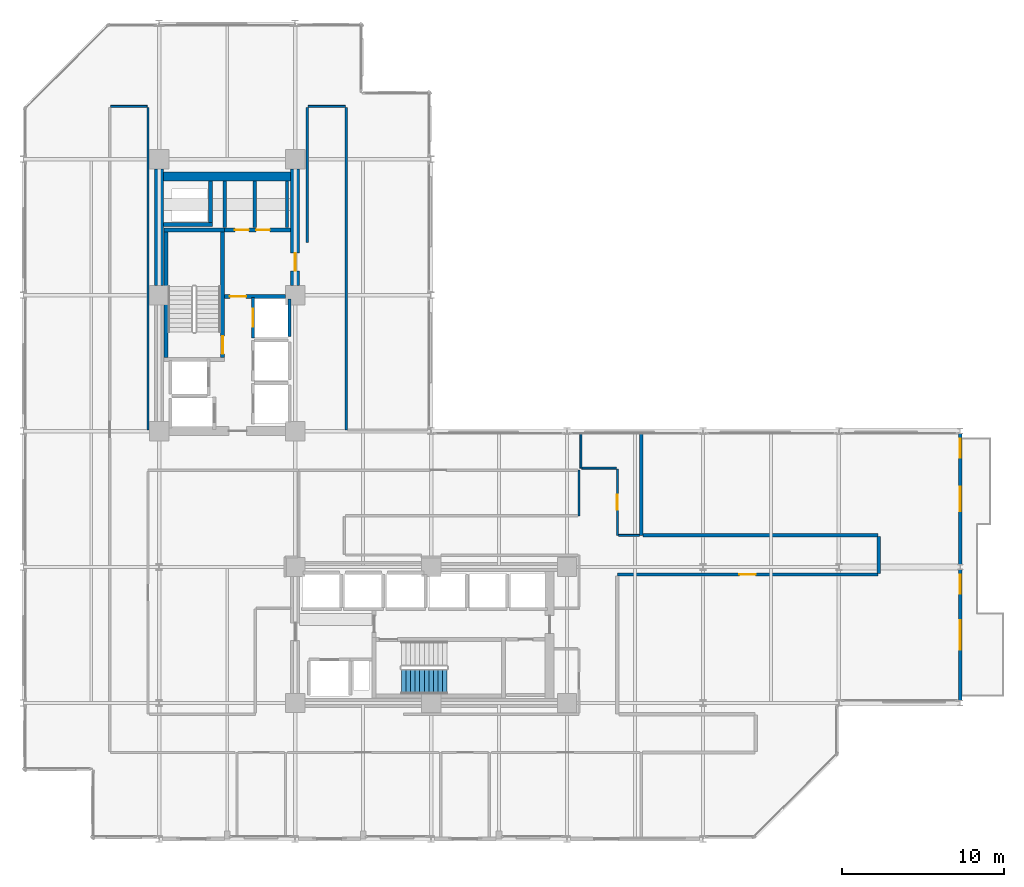
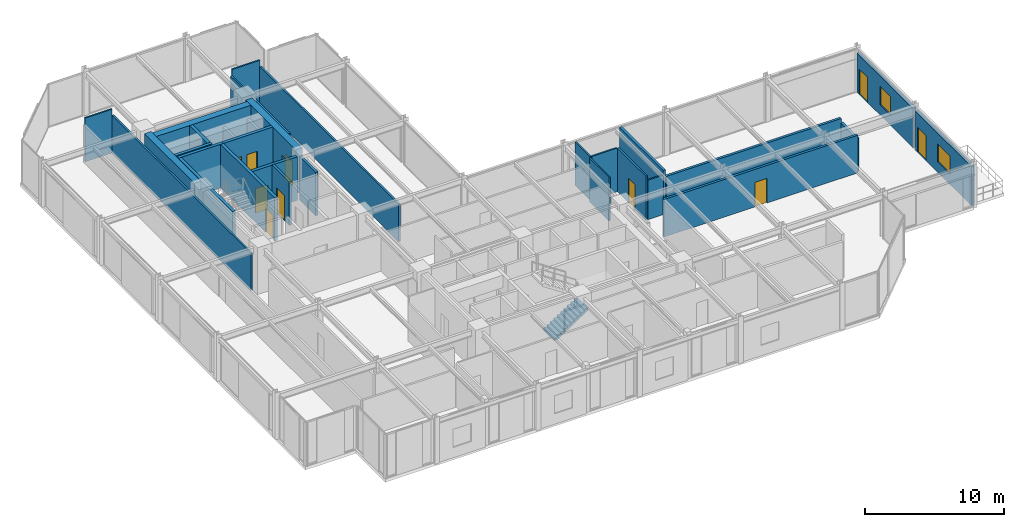
# One storey, part 34 of 38: 31 walls, 10 doors, 2 windows, 1 stair flight, 12 openings, 1 element without a shape of its own.
"""IFC4 building model written with IfcOpenShell, lengths in metres."""

from ifc_helpers import new_model, si_unit, direction, frame, frame_2d, origin, place, context, subcontext, project, spatial, polyline, rectangle, outline, extrude, material, layer, layer_set, type_object, element, fill, aggregate, save


model = new_model("IFC4")

# Units and contexts
model_context = context("Model", 3, precision=1e-05, world=origin(), true_north=direction((0.0, 1.0)))
body_context = subcontext(model_context, "Body", "Model", "MODEL_VIEW")
ifc_project = project(units=[si_unit("LENGTHUNIT", "METRE"), si_unit("AREAUNIT", "SQUARE_METRE"), si_unit("VOLUMEUNIT", "CUBIC_METRE"), si_unit("PLANEANGLEUNIT", "RADIAN"), si_unit("MASSUNIT", "GRAM", prefix="KILO")], contexts=[model_context])

# Site, building, storey
site_placement = place(None, origin())
site = spatial("IfcSite", under=ifc_project, at=site_placement, CompositionType="ELEMENT")
building_placement = place(site_placement, origin())
building = spatial("IfcBuilding", under=site, at=building_placement, Name="Nerrivon Quay Data Exchange", CompositionType="ELEMENT")
storey_placement = place(building_placement, frame((0.0, 0.0, 88.5)))
storey = spatial("IfcBuildingStorey", under=building, at=storey_placement, Name="L20", CompositionType="ELEMENT", Elevation=88.5)

# Wall, openings, door, window
ifc_material_1 = material(Name="Architectural terracotta precast concrete N50 (50 MPa)", Category="masonry")
ifc_layer_1 = layer(ifc_material_1, 0.239990234375)
ifc_layer_set_1 = layer_set([ifc_layer_1], Name="Architectural terracotta precast concrete N50 (50 MPa)")
wall_type_1 = type_object("IfcWallType", Name="EW-PREC-240", PredefinedType="STANDARD", material=ifc_layer_set_1)
wall_1_placement = place(storey_placement, frame((57.89990234375, 25.03662109375, 0.0), z_axis=(0.0, 0.0, 1.0), x_axis=(0.0, -1.0, 0.0)))
wall_1 = element("IfcWall", 1, at=wall_1_placement, inside=storey, type_object=wall_type_1, Name="L20 Terrace Host Wall 1", PredefinedType="STANDARD", context=body_context, shape_type="SweptSolid", body=[
    extrude(rectangle(XDim=8.0732421875, YDim=0.239990234375, at=frame_2d((4.03662109375, 0.0))), origin(), (0.0, 0.0, 1.0), 3.422119140625),
])
opening_1_placement = place(wall_1_placement, frame((0.300048828125, 0.0, 0.0)))
opening_1 = element("IfcOpeningElement", 2, at=opening_1_placement, cuts=wall_1, Name="Opening TD1", PredefinedType="OPENING", context=body_context, shape_type="SweptSolid", body=[
    extrude(rectangle(XDim=1.199951171875, YDim=2.199951171875, at=frame_2d((0.60009765625, 1.10009765625))), frame((0.0, 0.1298828125, 0.0), z_axis=(0.0, -1.0, 0.0), x_axis=(1.0, 0.0, 0.0)), (0.0, 0.0, 1.0), 0.260009765625),
])
opening_2_placement = place(wall_1_placement, frame((3.28662109375, 0.0, 0.89990234375)))
opening_2 = element("IfcOpeningElement", 3, at=opening_2_placement, cuts=wall_1, Name="Opening WN4", PredefinedType="OPENING", context=body_context, shape_type="SweptSolid", body=[
    extrude(rectangle(XDim=1.5, YDim=1.60009765625, at=frame_2d((0.75, 0.800048828125))), frame((0.0, 0.1298828125, 0.0), z_axis=(0.0, -1.0, 0.0), x_axis=(1.0, 0.0, 0.0)), (0.0, 0.0, 1.0), 0.260009765625),
])
ifc_material_2 = material(Name="Double-glazed low-E solar control glass", Category="glass")
door_type_1 = type_object("IfcDoorType", Name="DR-TERR-1200x2200", OperationType="NOTDEFINED", PredefinedType="DOOR", material=ifc_material_2)
door_1_placement = place(opening_1_placement, origin())
door_1 = element("IfcDoor", 4, at=door_1_placement, inside=storey, type_object=door_type_1, Name="L20 Outdoor Terrace Access Door 1", OperationType="SINGLE_SWING_RIGHT", OverallHeight=2.199951171875, OverallWidth=1.199951171875, PredefinedType="DOOR", context=body_context, shape_type="SweptSolid", body=[
    extrude(rectangle(XDim=1.199951171875, YDim=2.199951171875, at=frame_2d((0.60009765625, 1.10009765625))), frame((0.0, 0.02490234375, 0.0), z_axis=(0.0, -1.0, 0.0), x_axis=(1.0, 0.0, 0.0)), (0.0, 0.0, 1.0), 0.050048828125),
])
fill(opening_1, door_1)
window_type_1 = type_object("IfcWindowType", Name="WIN-W4-1500x1600", PartitioningType="SINGLE_PANEL", PredefinedType="WINDOW", material=ifc_material_2)
window_1_placement = place(opening_2_placement, origin())
window_1 = element("IfcWindow", 5, at=window_1_placement, inside=storey, type_object=window_type_1, Name="L20 Terrace Side Window 1", OverallHeight=1.60009765625, OverallWidth=1.5, PartitioningType="SINGLE_PANEL", PredefinedType="WINDOW", context=body_context, shape_type="SweptSolid", body=[
    extrude(rectangle(XDim=1.5, YDim=1.60009765625, at=frame_2d((0.75, 0.800048828125))), frame((0.0, 0.030029296875, 0.0), z_axis=(0.0, -1.0, 0.0), x_axis=(1.0, 0.0, 0.0)), (0.0, 0.0, 1.0), 0.06005859375),
])
fill(opening_2, window_1)

wall_2_placement = place(storey_placement, frame((57.89990234375, 16.636474609375, 0.0), z_axis=(0.0, 0.0, 1.0), x_axis=(0.0, -1.0, 0.0)))
wall_2 = element("IfcWall", 6, at=wall_2_placement, inside=storey, type_object=wall_type_1, Name="L20 Terrace Host Wall 2", PredefinedType="STANDARD", context=body_context, shape_type="SweptSolid", body=[
    extrude(rectangle(XDim=8.072998046875, YDim=0.239990234375, at=frame_2d((4.03662109375, 0.0))), origin(), (0.0, 0.0, 1.0), 3.422119140625),
])
opening_3_placement = place(wall_2_placement, frame((0.300048828125, 0.0, 0.0)))
opening_3 = element("IfcOpeningElement", 7, at=opening_3_placement, cuts=wall_2, Name="Opening TD1", PredefinedType="OPENING", context=body_context, shape_type="SweptSolid", body=[
    extrude(rectangle(XDim=1.199951171875, YDim=2.199951171875, at=frame_2d((0.60009765625, 1.10009765625))), frame((0.0, 0.1298828125, 0.0), z_axis=(0.0, -1.0, 0.0), x_axis=(1.0, 0.0, 0.0)), (0.0, 0.0, 1.0), 0.260009765625),
])
opening_4_placement = place(wall_2_placement, frame((3.136474609375, 0.0, 0.89990234375)))
opening_4 = element("IfcOpeningElement", 8, at=opening_4_placement, cuts=wall_2, Name="Opening WN2", PredefinedType="OPENING", context=body_context, shape_type="SweptSolid", body=[
    extrude(rectangle(XDim=1.800048828125, YDim=1.60009765625, at=frame_2d((0.89990234375, 0.800048828125))), frame((0.0, 0.1298828125, 0.0), z_axis=(0.0, -1.0, 0.0), x_axis=(1.0, 0.0, 0.0)), (0.0, 0.0, 1.0), 0.260009765625),
])
door_2_placement = place(opening_3_placement, origin())
door_2 = element("IfcDoor", 9, at=door_2_placement, inside=storey, type_object=door_type_1, Name="L20 Outdoor Terrace Access Door 2", OperationType="SINGLE_SWING_LEFT", OverallHeight=2.199951171875, OverallWidth=1.199951171875, PredefinedType="DOOR", context=body_context, shape_type="SweptSolid", body=[
    extrude(rectangle(XDim=1.199951171875, YDim=2.199951171875, at=frame_2d((0.60009765625, 1.10009765625))), frame((0.0, 0.02490234375, 0.0), z_axis=(0.0, -1.0, 0.0), x_axis=(1.0, 0.0, 0.0)), (0.0, 0.0, 1.0), 0.050048828125),
])
fill(opening_3, door_2)
window_type_2 = type_object("IfcWindowType", Name="WIN-W2-1800x1600", PartitioningType="SINGLE_PANEL", PredefinedType="WINDOW", material=ifc_material_2)
window_2_placement = place(opening_4_placement, origin())
window_2 = element("IfcWindow", 10, at=window_2_placement, inside=storey, type_object=window_type_2, Name="L20 Terrace Side Window 2", OverallHeight=1.60009765625, OverallWidth=1.800048828125, PartitioningType="SINGLE_PANEL", PredefinedType="WINDOW", context=body_context, shape_type="SweptSolid", body=[
    extrude(rectangle(XDim=1.800048828125, YDim=1.60009765625, at=frame_2d((0.89990234375, 0.800048828125))), frame((0.0, 0.030029296875, 0.0), z_axis=(0.0, -1.0, 0.0), x_axis=(1.0, 0.0, 0.0)), (0.0, 0.0, 1.0), 0.06005859375),
])
fill(opening_4, window_2)

# Walls
ifc_material_3 = material(Name="Concrete S65 (65 MPa)", Category="concrete")
ifc_layer_2 = layer(ifc_material_3, 0.550048828125)
ifc_layer_set_2 = layer_set([ifc_layer_2], Name="Concrete S65 (65 MPa)")
wall_type_2 = type_object("IfcWallType", Name="WALL-CW-700", PredefinedType="SHEAR", material=ifc_layer_set_2)
wall_3_placement = place(storey_placement, frame((8.39990234375, 34.199951171875, 0.0), z_axis=(0.0, 0.0, 1.0), x_axis=(0.0, 1.0, 0.0)))
element("IfcWall", 11, at=wall_3_placement, inside=storey, type_object=wall_type_2, Name="L20 West Split-Core Shear Wall WCW-W2", PredefinedType="SHEAR", context=body_context, shape_type="SweptSolid", body=[
    extrude(rectangle(XDim=7.199951171875, YDim=0.550048828125, at=frame_2d((3.60009765625, 0.0))), origin(), (0.0, 0.0, 1.0), 3.824951171875),
])
wall_4_placement = place(storey_placement, frame((8.675048828125, 40.925048828125, 0.0), z_axis=(0.0, 0.0, 1.0), x_axis=(1.0, 0.0, 0.0)))
element("IfcWall", 12, at=wall_4_placement, inside=storey, type_object=wall_type_2, Name="L20 West Split-Core Shear Wall WCW-N1", PredefinedType="SHEAR", context=body_context, shape_type="SweptSolid", body=[
    extrude(rectangle(XDim=7.849853515625, YDim=0.550048828125, at=frame_2d((3.9248046875, 0.0))), origin(), (0.0, 0.0, 1.0), 3.824951171875),
])

# Wall, opening, door
wall_5_placement = place(storey_placement, frame((16.800048828125, 34.199951171875, 0.0), z_axis=(0.0, 0.0, 1.0), x_axis=(0.0, 1.0, 0.0)))
wall_5 = element("IfcWall", 13, at=wall_5_placement, inside=storey, type_object=wall_type_2, Name="L20 West Split-Core Shear Wall WCW-E1", PredefinedType="SHEAR", context=body_context, shape_type="SweptSolid", body=[
    extrude(rectangle(XDim=7.199951171875, YDim=0.550048828125, at=frame_2d((3.60009765625, 0.0))), origin(), (0.0, 0.0, 1.0), 3.824951171875),
])
opening_5_placement = place(wall_5_placement, frame((0.89990234375, 0.0, 0.0)))
opening_5 = element("IfcOpeningElement", 14, at=opening_5_placement, cuts=wall_5, Name="Opening FD-120", PredefinedType="OPENING", context=body_context, shape_type="SweptSolid", body=[
    extrude(rectangle(XDim=1.10009765625, YDim=2.14990234375, at=frame_2d((0.550048828125, 1.074951171875))), frame((0.0, 0.284912109375, 0.0), z_axis=(0.0, -1.0, 0.0), x_axis=(1.0, 0.0, 0.0)), (0.0, 0.0, 1.0), 0.570068359375),
])
ifc_material_4 = material(Name="Powder-coated galvanized steel sheet", Category="steel")
door_type_2 = type_object("IfcDoorType", Name="DR-FD120-1100", OperationType="NOTDEFINED", PredefinedType="DOOR", material=ifc_material_4)
door_3_placement = place(opening_5_placement, origin())
door_3 = element("IfcDoor", 15, at=door_3_placement, inside=storey, type_object=door_type_2, Name="L20 West Core Lobby Fire Door", OperationType="SINGLE_SWING_LEFT", OverallHeight=2.14990234375, OverallWidth=1.10009765625, PredefinedType="DOOR", context=body_context, shape_type="SweptSolid", body=[
    extrude(rectangle(XDim=1.10009765625, YDim=2.14990234375, at=frame_2d((0.550048828125, 1.074951171875))), frame((0.0, 0.02490234375, 0.0), z_axis=(0.0, -1.0, 0.0), x_axis=(1.0, 0.0, 0.0)), (0.0, 0.0, 1.0), 0.050048828125),
])
fill(opening_5, door_3)

ifc_material_5 = material(Name="Gypsum plasterboard on cold-formed framing", Category="gypsum")
ifc_layer_3 = layer(ifc_material_5, 0.199951171875)
ifc_layer_set_3 = layer_set([ifc_layer_3], Name="Gypsum plasterboard on cold-formed framing")
wall_type_3 = type_object("IfcWallType", Name="WALL-FW-200", PredefinedType="PARTITIONING", material=ifc_layer_set_3)
wall_6_placement = place(storey_placement, frame((14.199951171875, 30.949951171875, 0.0), z_axis=(0.0, 0.0, 1.0), x_axis=(0.0, 1.0, 0.0)))
wall_6 = element("IfcWall", 16, at=wall_6_placement, inside=storey, type_object=wall_type_3, Name="L20 Lift Front Wall PL3", PredefinedType="PARTITIONING", context=body_context, shape_type="SweptSolid", body=[
    extrude(rectangle(XDim=2.5, YDim=0.199951171875, at=frame_2d((1.25, 0.0))), origin(), (0.0, 0.0, 1.0), 3.824951171875),
])
opening_6_placement = place(wall_6_placement, frame((0.699951171875, 0.0, 0.0)))
opening_6 = element("IfcOpeningElement", 17, at=opening_6_placement, cuts=wall_6, Name="Opening LD-120", PredefinedType="OPENING", context=body_context, shape_type="SweptSolid", body=[
    extrude(rectangle(XDim=1.10009765625, YDim=2.199951171875, at=frame_2d((0.550048828125, 1.10009765625))), frame((0.0, 0.10986328125, 0.0), z_axis=(0.0, -1.0, 0.0), x_axis=(1.0, 0.0, 0.0)), (0.0, 0.0, 1.0), 0.219970703125),
])
door_type_3 = type_object("IfcDoorType", Name="DR-LIFT-LD120", OperationType="DOUBLE_DOOR_SLIDING", PredefinedType="DOOR", material=ifc_material_4)
door_4_placement = place(opening_6_placement, origin())
door_4 = element("IfcDoor", 18, at=door_4_placement, inside=storey, type_object=door_type_3, Name="L20 Lift Landing Sliding Door PL3", OperationType="DOUBLE_DOOR_SLIDING", OverallHeight=2.199951171875, OverallWidth=1.10009765625, PredefinedType="DOOR", context=body_context, shape_type="SweptSolid", body=[
    extrude(rectangle(XDim=1.10009765625, YDim=2.199951171875, at=frame_2d((0.550048828125, 1.10009765625))), frame((0.0, 0.02490234375, 0.0), z_axis=(0.0, -1.0, 0.0), x_axis=(1.0, 0.0, 0.0)), (0.0, 0.0, 1.0), 0.050048828125),
])
fill(opening_6, door_4)

# Walls
wall_7_placement = place(storey_placement, frame((16.449951171875, 31.050048828125, 0.0), z_axis=(0.0, 0.0, 1.0), x_axis=(0.0, 1.0, 0.0)))
element("IfcWall", 19, at=wall_7_placement, inside=storey, type_object=wall_type_3, Name="L20 Lift Shaft Wall PL3 EAST", PredefinedType="PARTITIONING", context=body_context, shape_type="SweptSolid", body=[
    extrude(rectangle(XDim=2.300048828125, YDim=0.199951171875, at=frame_2d((1.14990234375, 0.0))), origin(), (0.0, 0.0, 1.0), 3.824951171875),
])
for number, where, z_axis, x_axis, name in (
    (20, (14.300048828125, 37.780029296875, 0.0), (0.0, 0.0, 1.0), (0.0, 1.0, 0.0), "L20 Partition Cleaners Store"),
    (21, (12.449951171875, 40.64599609375, 0.0), (0.0, 0.0, 1.0), (0.0, -1.0, 0.0), "L20 Partition Cleaners Store"),
    (22, (16.300048828125, 37.780029296875, 0.0), (0.0, 0.0, 1.0), (0.0, 1.0, 0.0), "L20 Partition Janitor Closet"),
):
    element("IfcWall", number, at=place(storey_placement, frame(where, z_axis=z_axis, x_axis=x_axis)), inside=storey, type_object=wall_type_3, Name=name, PredefinedType="PARTITIONING", context=body_context, shape_type="SweptSolid", body=[
        extrude(rectangle(XDim=2.865966796875, YDim=0.199951171875, at=frame_2d((1.43310546875, 0.0))), origin(), (0.0, 0.0, 1.0), 2.72509765625),
    ])

# Wall, opening, door
wall_8_placement = place(storey_placement, frame((52.800048828125, 16.340087890625, 0.0), z_axis=(0.0, 0.0, 1.0), x_axis=(-1.0, 0.0, 0.0)))
wall_8 = element("IfcWall", 23, at=wall_8_placement, inside=storey, type_object=wall_type_3, Name="L20 Partition Colocation Data Workspace 1", PredefinedType="PARTITIONING", context=body_context, shape_type="SweptSolid", body=[
    extrude(rectangle(XDim=16.090087890625, YDim=0.199951171875, at=frame_2d((8.044921875, 0.0))), origin(), (0.0, 0.0, 1.0), 3.297119140625),
])
opening_7_placement = place(wall_8_placement, frame((7.544921875, 0.0, 0.0)))
opening_7 = element("IfcOpeningElement", 24, at=opening_7_placement, cuts=wall_8, Name="Opening FD-60", PredefinedType="OPENING", context=body_context, shape_type="SweptSolid", body=[
    extrude(rectangle(XDim=1.0, YDim=2.14990234375, at=frame_2d((0.5, 1.074951171875))), frame((0.0, 0.10986328125, 0.0), z_axis=(0.0, -1.0, 0.0), x_axis=(1.0, 0.0, 0.0)), (0.0, 0.0, 1.0), 0.219970703125),
])
ifc_material_6 = material(Name="Engineered hardwood timber", Category="wood")
door_type_4 = type_object("IfcDoorType", Name="DR-FD60-1000", OperationType="NOTDEFINED", PredefinedType="DOOR", material=ifc_material_6)
door_5_placement = place(opening_7_placement, origin())
door_5 = element("IfcDoor", 25, at=door_5_placement, inside=storey, type_object=door_type_4, Name="L20 Door Colocation Data Workspace 1", OperationType="SINGLE_SWING_LEFT", OverallHeight=2.14990234375, OverallWidth=1.0, PredefinedType="DOOR", context=body_context, shape_type="SweptSolid", body=[
    extrude(rectangle(XDim=1.0, YDim=2.14990234375, at=frame_2d((0.5, 1.074951171875))), frame((0.0, 0.02490234375, 0.0), z_axis=(0.0, -1.0, 0.0), x_axis=(1.0, 0.0, 0.0)), (0.0, 0.0, 1.0), 0.050048828125),
])
fill(opening_7, door_5)

# Walls
wall_9_placement = place(storey_placement, frame((38.181884765625, 25.031005859375, 0.0), z_axis=(0.0, 0.0, 1.0), x_axis=(0.0, -1.0, 0.0)))
element("IfcWall", 26, at=wall_9_placement, inside=storey, type_object=wall_type_3, Name="L20 Partition Colocation Data Workspace 1", PredefinedType="PARTITIONING", context=body_context, shape_type="SweptSolid", body=[
    extrude(rectangle(XDim=6.27099609375, YDim=0.199951171875, at=frame_2d((3.135498046875, 0.0))), origin(), (0.0, 0.0, 1.0), 3.824951171875),
])
wall_10_placement = place(storey_placement, frame((38.285888671875, 18.760009765625, 0.0), z_axis=(0.0, 0.0, 1.0), x_axis=(1.0, 0.0, 0.0)))
element("IfcWall", 27, at=wall_10_placement, inside=storey, type_object=wall_type_3, Name="L20 Partition Colocation Data Workspace 1", PredefinedType="PARTITIONING", context=body_context, shape_type="SweptSolid", body=[
    extrude(rectangle(XDim=14.51416015625, YDim=0.199951171875, at=frame_2d((7.257080078125, 0.0))), origin(), (0.0, 0.0, 1.0), 3.297119140625),
])
wall_11_placement = place(storey_placement, frame((52.860107421875, 18.699951171875, 0.0), z_axis=(0.0, 0.0, 1.0), x_axis=(0.0, -1.0, 0.0)))
element("IfcWall", 28, at=wall_11_placement, inside=storey, type_object=wall_type_3, Name="L20 Partition Colocation Data Workspace 1", PredefinedType="PARTITIONING", context=body_context, shape_type="SweptSolid", body=[
    extrude(rectangle(XDim=2.300048828125, YDim=0.199951171875, at=frame_2d((1.14990234375, 0.0))), origin(), (0.0, 0.0, 1.0), 2.9150390625),
])
ifc_layer_4 = layer(ifc_material_5, 0.1201171875)
ifc_layer_set_4 = layer_set([ifc_layer_4], Name="Gypsum plasterboard on cold-formed framing")
wall_type_4 = type_object("IfcWallType", Name="WALL-PT-120", PredefinedType="PARTITIONING", material=ifc_layer_set_4)
wall_12_placement = place(storey_placement, frame((34.340087890625, 19.9599609375, 0.0), z_axis=(0.0, 0.0, 1.0), x_axis=(0.0, 1.0, 0.0)))
element("IfcWall", 29, at=wall_12_placement, inside=storey, type_object=wall_type_4, Name="L20 Partition Technical Library", PredefinedType="PARTITIONING", context=body_context, shape_type="SweptSolid", body=[
    extrude(rectangle(XDim=2.830078125, YDim=0.1201171875, at=frame_2d((1.4150390625, 0.0))), origin(), (0.0, 0.0, 1.0), 3.824951171875),
])
wall_13_placement = place(storey_placement, frame((36.781494140625, 18.760009765625, 0.0), z_axis=(0.0, 0.0, 1.0), x_axis=(1.0, 0.0, 0.0)))
element("IfcWall", 30, at=wall_13_placement, inside=storey, type_object=wall_type_4, Name="L20 Partition Optical Engineering Studios Workspace", PredefinedType="PARTITIONING", context=body_context, shape_type="SweptSolid", body=[
    extrude(rectangle(XDim=1.29638671875, YDim=0.1201171875, at=frame_2d((0.648193359375, 0.0))), origin(), (0.0, 0.0, 1.0), 3.468994140625),
])
wall_14_placement = place(storey_placement, frame((34.4599609375, 25.031005859375, 0.0), z_axis=(0.0, 0.0, 1.0), x_axis=(0.0, -1.0, 0.0)))
element("IfcWall", 31, at=wall_14_placement, inside=storey, type_object=wall_type_4, Name="L20 Partition Optical Engineering Studios Workspace", PredefinedType="PARTITIONING", context=body_context, shape_type="SweptSolid", body=[
    extrude(rectangle(XDim=2.12109375, YDim=0.1201171875, at=frame_2d((1.060546875, 0.0))), origin(), (0.0, 0.0, 1.0), 3.824951171875),
])
wall_15_placement = place(storey_placement, frame((34.52392578125, 22.909912109375, 0.0), z_axis=(0.0, 0.0, 1.0), x_axis=(1.0, 0.0, 0.0)))
element("IfcWall", 32, at=wall_15_placement, inside=storey, type_object=wall_type_4, Name="L20 Partition Optical Engineering Studios Workspace", PredefinedType="PARTITIONING", context=body_context, shape_type="SweptSolid", body=[
    extrude(rectangle(XDim=2.1259765625, YDim=0.1201171875, at=frame_2d((1.06298828125, 0.0))), origin(), (0.0, 0.0, 1.0), 3.824951171875),
])
wall_16_placement = place(storey_placement, frame((5.39990234375, 45.260009765625, 0.0), z_axis=(0.0, 0.0, 1.0), x_axis=(1.0, 0.0, 0.0)))
element("IfcWall", 33, at=wall_16_placement, inside=storey, type_object=wall_type_4, Name="L20 Partition Optical Engineering Studios Workspace", PredefinedType="PARTITIONING", context=body_context, shape_type="SweptSolid", body=[
    extrude(rectangle(XDim=2.25, YDim=0.1201171875, at=frame_2d((1.125, 0.0))), origin(), (0.0, 0.0, 1.0), 3.824951171875),
])
wall_17_placement = place(storey_placement, frame((17.60009765625, 45.260009765625, 0.0), z_axis=(0.0, 0.0, 1.0), x_axis=(1.0, 0.0, 0.0)))
element("IfcWall", 34, at=wall_17_placement, inside=storey, type_object=wall_type_4, Name="L20 Partition Optical Engineering Studios Workspace", PredefinedType="PARTITIONING", context=body_context, shape_type="SweptSolid", body=[
    extrude(rectangle(XDim=2.2998046875, YDim=0.1201171875, at=frame_2d((1.14990234375, 0.0))), origin(), (0.0, 0.0, 1.0), 3.824951171875),
])

# Wall, opening, door
ifc_layer_5 = layer(ifc_material_5, 0.135009765625)
ifc_layer_set_5 = layer_set([ifc_layer_5], Name="Gypsum plasterboard on cold-formed framing")
wall_type_5 = type_object("IfcWallType", Name="WALL-PT-135", PredefinedType="PARTITIONING", material=ifc_layer_set_5)
wall_18_placement = place(storey_placement, frame((36.7099609375, 22.85009765625, 0.0), z_axis=(0.0, 0.0, 1.0), x_axis=(0.0, -1.0, 0.0)))
wall_18 = element("IfcWall", 35, at=wall_18_placement, inside=storey, type_object=wall_type_5, Name="L20 Partition Optical Engineering Studios Workspace", PredefinedType="PARTITIONING", context=body_context, shape_type="SweptSolid", body=[
    extrude(rectangle(XDim=4.090087890625, YDim=0.135009765625, at=frame_2d((2.044921875, 0.0))), origin(), (0.0, 0.0, 1.0), 3.824951171875),
])
opening_8_placement = place(wall_18_placement, frame((1.570068359375, 0.0, 0.0)))
opening_8 = element("IfcOpeningElement", 36, at=opening_8_placement, cuts=wall_18, Name="Opening D-01", PredefinedType="OPENING", context=body_context, shape_type="SweptSolid", body=[
    extrude(rectangle(XDim=0.949951171875, YDim=2.14990234375, at=frame_2d((0.47509765625, 1.074951171875))), frame((0.0, 0.077392578125, 0.0), z_axis=(0.0, -1.0, 0.0), x_axis=(1.0, 0.0, 0.0)), (0.0, 0.0, 1.0), 0.155029296875),
])
door_type_5 = type_object("IfcDoorType", Name="DR-INT-950", OperationType="NOTDEFINED", PredefinedType="DOOR", material=ifc_material_6)
door_6_placement = place(opening_8_placement, origin())
door_6 = element("IfcDoor", 37, at=door_6_placement, inside=storey, type_object=door_type_5, Name="L20 Door Optical Engineering Studios Workspace", OperationType="SINGLE_SWING_RIGHT", OverallHeight=2.14990234375, OverallWidth=0.949951171875, PredefinedType="DOOR", context=body_context, shape_type="SweptSolid", body=[
    extrude(rectangle(XDim=0.949951171875, YDim=2.14990234375, at=frame_2d((0.47509765625, 1.074951171875))), frame((0.0, 0.02490234375, 0.0), z_axis=(0.0, -1.0, 0.0), x_axis=(1.0, 0.0, 0.0)), (0.0, 0.0, 1.0), 0.050048828125),
])
fill(opening_8, door_6)

# Walls
ifc_layer_6 = layer(ifc_material_5, 0.14990234375)
ifc_layer_set_6 = layer_set([ifc_layer_6], Name="Gypsum plasterboard on cold-formed framing")
wall_type_6 = type_object("IfcWallType", Name="WALL-PT-150", PredefinedType="PARTITIONING", material=ifc_layer_set_6)
wall_19_placement = place(storey_placement, frame((7.709716796875, 45.205810546875, 0.0), z_axis=(0.0, 0.0, 1.0), x_axis=(1.2240202e-05, -0.999999999925, 0.0)))
element("IfcWall", 38, at=wall_19_placement, inside=storey, type_object=wall_type_6, Name="L20 Partition Optical Engineering Studios Workspace", PredefinedType="PARTITIONING", context=body_context, shape_type="SweptSolid", body=[
    extrude(rectangle(XDim=19.94580078125, YDim=0.14990234375, at=frame_2d((9.972900390625, 0.0))), origin(), (0.0, 0.0, 1.0), 3.2919921875),
])
wall_20_placement = place(storey_placement, frame((17.5400390625, 36.860107421875, 0.0), z_axis=(0.0, 0.0, 1.0), x_axis=(0.0, 1.0, 0.0)))
element("IfcWall", 39, at=wall_20_placement, inside=storey, type_object=wall_type_6, Name="L20 Partition Optical Engineering Studios Workspace", PredefinedType="PARTITIONING", context=body_context, shape_type="SweptSolid", body=[
    extrude(rectangle(XDim=8.33984375, YDim=0.14990234375, at=frame_2d((4.169921875, 0.0))), origin(), (0.0, 0.0, 1.0), 3.2919921875),
])
wall_21_placement = place(storey_placement, frame((19.9599609375, 45.199951171875, 0.0), z_axis=(0.0, 0.0, 1.0), x_axis=(0.0, -1.0, 0.0)))
element("IfcWall", 40, at=wall_21_placement, inside=storey, type_object=wall_type_6, Name="L20 Partition Optical Engineering Studios Workspace", PredefinedType="PARTITIONING", context=body_context, shape_type="SweptSolid", body=[
    extrude(rectangle(XDim=19.93994140625, YDim=0.14990234375, at=frame_2d((9.969970703125, 0.0))), origin(), (0.0, 0.0, 1.0), 3.2919921875),
])
ifc_material_7 = material(Name="Concrete N50 (50 MPa)", Category="concrete")
ifc_layer_7 = layer(ifc_material_7, 0.25)
ifc_layer_set_7 = layer_set([ifc_layer_7], Name="Concrete N50 (50 MPa)")
wall_type_7 = type_object("IfcWallType", Name="WALL-SW-250", PredefinedType="SHEAR", material=ifc_layer_set_7)
wall_22_placement = place(storey_placement, frame((12.449951171875, 37.625, 0.0), z_axis=(0.0, 0.0, 1.0), x_axis=(-1.0, 0.0, 0.0)))
element("IfcWall", 41, at=wall_22_placement, inside=storey, type_object=wall_type_7, Name="L20 ST01 Structural Stair Core Wall FAR", PredefinedType="SHEAR", context=body_context, shape_type="SweptSolid", body=[
    extrude(rectangle(XDim=3.75, YDim=0.25, at=frame_2d((1.875, 0.0))), origin(), (0.0, 0.0, 1.0), 3.824951171875),
])

# Wall, opening, door
wall_23_placement = place(storey_placement, frame((12.324951171875, 29.75, 0.0), z_axis=(0.0, 0.0, 1.0), x_axis=(0.0, 1.0, 0.0)))
wall_23 = element("IfcWall", 42, at=wall_23_placement, inside=storey, type_object=wall_type_7, Name="L20 ST01 Structural Stair Core Wall LEFT", PredefinedType="SHEAR", context=body_context, shape_type="SweptSolid", body=[
    extrude(rectangle(XDim=7.75, YDim=0.25, at=frame_2d((3.875, 0.0))), origin(), (0.0, 0.0, 1.0), 3.824951171875),
])
opening_9_placement = place(wall_23_placement, frame((0.219970703125, 0.0, 0.0)))
opening_9 = element("IfcOpeningElement", 43, at=opening_9_placement, cuts=wall_23, Name="Opening FD-120", PredefinedType="OPENING", context=body_context, shape_type="SweptSolid", body=[
    extrude(rectangle(XDim=1.10009765625, YDim=2.14990234375, at=frame_2d((0.550048828125, 1.074951171875))), frame((0.0, 0.135009765625, 0.0), z_axis=(0.0, -1.0, 0.0), x_axis=(1.0, 0.0, 0.0)), (0.0, 0.0, 1.0), 0.27001953125),
])
door_7_placement = place(opening_9_placement, origin())
door_7 = element("IfcDoor", 44, at=door_7_placement, inside=storey, type_object=door_type_2, Name="L20 Protected Stair Door ST01", OperationType="SINGLE_SWING_LEFT", OverallHeight=2.14990234375, OverallWidth=1.10009765625, PredefinedType="DOOR", context=body_context, shape_type="SweptSolid", body=[
    extrude(rectangle(XDim=1.10009765625, YDim=2.14990234375, at=frame_2d((0.550048828125, 1.074951171875))), frame((0.0, 0.02490234375, 0.0), z_axis=(0.0, -1.0, 0.0), x_axis=(1.0, 0.0, 0.0)), (0.0, 0.0, 1.0), 0.050048828125),
])
fill(opening_9, door_7)

# Walls
wall_24_placement = place(storey_placement, frame((8.824951171875, 29.75, 0.0), z_axis=(0.0, 0.0, 1.0), x_axis=(0.0, 1.0, 0.0)))
element("IfcWall", 45, at=wall_24_placement, inside=storey, type_object=wall_type_7, Name="L20 ST01 Structural Stair Core Wall RIGHT", PredefinedType="SHEAR", context=body_context, shape_type="SweptSolid", body=[
    extrude(rectangle(XDim=7.75, YDim=0.25, at=frame_2d((3.875, 0.0))), origin(), (0.0, 0.0, 1.0), 3.824951171875),
])
wall_25_placement = place(storey_placement, frame((8.675048828125, 37.97509765625, 0.0), z_axis=(0.0, 0.0, 1.0), x_axis=(1.0, 0.0, 0.0)))
element("IfcWall", 46, at=wall_25_placement, inside=storey, type_object=wall_type_7, Name="L20 West Core MEP Riser Shaft Wall S", PredefinedType="SHEAR", context=body_context, shape_type="SweptSolid", body=[
    extrude(rectangle(XDim=3.02490234375, YDim=0.25, at=frame_2d((1.512451171875, 0.0))), origin(), (0.0, 0.0, 1.0), 3.824951171875),
])
wall_26_placement = place(storey_placement, frame((11.574951171875, 38.10009765625, 0.0), z_axis=(0.0, 0.0, 1.0), x_axis=(0.0, 1.0, 0.0)))
element("IfcWall", 47, at=wall_26_placement, inside=storey, type_object=wall_type_7, Name="L20 West Core MEP Riser Shaft Wall E", PredefinedType="SHEAR", context=body_context, shape_type="SweptSolid", body=[
    extrude(rectangle(XDim=2.5498046875, YDim=0.25, at=frame_2d((1.27490234375, 0.0))), origin(), (0.0, 0.0, 1.0), 3.824951171875),
])

# Wall, opening, door
wall_27_placement = place(storey_placement, frame((12.449951171875, 33.52001953125, 0.0), z_axis=(0.0, 0.0, 1.0), x_axis=(1.0, 0.0, 0.0)))
wall_27 = element("IfcWall", 48, at=wall_27_placement, inside=storey, type_object=wall_type_7, Name="L20 West Lobby Smoke-Stop Wall", PredefinedType="SHEAR", context=body_context, shape_type="SweptSolid", body=[
    extrude(rectangle(XDim=3.75, YDim=0.25, at=frame_2d((1.875, 0.0))), origin(), (0.0, 0.0, 1.0), 3.824951171875),
])
opening_10_placement = place(wall_27_placement, frame((0.320068359375, 0.0, 0.0)))
opening_10 = element("IfcOpeningElement", 49, at=opening_10_placement, cuts=wall_27, Name="Opening FD-60", PredefinedType="OPENING", context=body_context, shape_type="SweptSolid", body=[
    extrude(rectangle(XDim=1.0, YDim=2.14990234375, at=frame_2d((0.5, 1.074951171875))), frame((0.0, 0.135009765625, 0.0), z_axis=(0.0, -1.0, 0.0), x_axis=(1.0, 0.0, 0.0)), (0.0, 0.0, 1.0), 0.27001953125),
])
door_8_placement = place(opening_10_placement, origin())
door_8 = element("IfcDoor", 50, at=door_8_placement, inside=storey, type_object=door_type_4, Name="L20 West Firefighting Lobby Fire Door", OperationType="SINGLE_SWING_LEFT", OverallHeight=2.14990234375, OverallWidth=1.0, PredefinedType="DOOR", context=body_context, shape_type="SweptSolid", body=[
    extrude(rectangle(XDim=1.0, YDim=2.14990234375, at=frame_2d((0.5, 1.074951171875))), frame((0.0, 0.02490234375, 0.0), z_axis=(0.0, -1.0, 0.0), x_axis=(1.0, 0.0, 0.0)), (0.0, 0.0, 1.0), 0.050048828125),
])
fill(opening_10, door_8)

# Wall, openings, doors
wall_28_placement = place(storey_placement, frame((12.449951171875, 37.625, 0.0), z_axis=(0.0, 0.0, 1.0), x_axis=(1.0, 0.0, 0.0)))
wall_28 = element("IfcWall", 51, at=wall_28_placement, inside=storey, type_object=wall_type_7, Name="L20 West Firefighting Lobby Wall", PredefinedType="SHEAR", context=body_context, shape_type="SweptSolid", body=[
    extrude(rectangle(XDim=4.074951171875, YDim=0.25, at=frame_2d((2.03759765625, 0.0))), origin(), (0.0, 0.0, 1.0), 3.824951171875),
])
opening_11_placement = place(wall_28_placement, frame((0.634521484375, 0.0, 0.0)))
opening_11 = element("IfcOpeningElement", 52, at=opening_11_placement, cuts=wall_28, Name="Opening FD-60S", PredefinedType="OPENING", context=body_context, shape_type="SweptSolid", body=[
    extrude(rectangle(XDim=0.85009765625, YDim=2.14990234375, at=frame_2d((0.425048828125, 1.074951171875))), frame((0.0, 0.135009765625, 0.0), z_axis=(0.0, -1.0, 0.0), x_axis=(1.0, 0.0, 0.0)), (0.0, 0.0, 1.0), 0.27001953125),
])
opening_12_placement = place(wall_28_placement, frame((1.9384765625, 0.0, 0.0)))
opening_12 = element("IfcOpeningElement", 53, at=opening_12_placement, cuts=wall_28, Name="Opening FD-60S", PredefinedType="OPENING", context=body_context, shape_type="SweptSolid", body=[
    extrude(rectangle(XDim=0.85009765625, YDim=2.14990234375, at=frame_2d((0.425048828125, 1.074951171875))), frame((0.0, 0.135009765625, 0.0), z_axis=(0.0, -1.0, 0.0), x_axis=(1.0, 0.0, 0.0)), (0.0, 0.0, 1.0), 0.27001953125),
])
door_type_6 = type_object("IfcDoorType", Name="DR-FD60-850", OperationType="NOTDEFINED", PredefinedType="DOOR", material=ifc_material_6)
door_9_placement = place(opening_11_placement, origin())
door_9 = element("IfcDoor", 54, at=door_9_placement, inside=storey, type_object=door_type_6, Name="L20 Door Cleaners Store", OperationType="SINGLE_SWING_LEFT", OverallHeight=2.14990234375, OverallWidth=0.85009765625, PredefinedType="DOOR", context=body_context, shape_type="SweptSolid", body=[
    extrude(rectangle(XDim=0.85009765625, YDim=2.14990234375, at=frame_2d((0.425048828125, 1.074951171875))), frame((0.0, 0.02490234375, 0.0), z_axis=(0.0, -1.0, 0.0), x_axis=(1.0, 0.0, 0.0)), (0.0, 0.0, 1.0), 0.050048828125),
])
fill(opening_11, door_9)
door_10_placement = place(opening_12_placement, origin())
door_10 = element("IfcDoor", 55, at=door_10_placement, inside=storey, type_object=door_type_6, Name="L20 Door Janitor Closet", OperationType="SINGLE_SWING_RIGHT", OverallHeight=2.14990234375, OverallWidth=0.85009765625, PredefinedType="DOOR", context=body_context, shape_type="SweptSolid", body=[
    extrude(rectangle(XDim=0.85009765625, YDim=2.14990234375, at=frame_2d((0.425048828125, 1.074951171875))), frame((0.0, 0.02490234375, 0.0), z_axis=(0.0, -1.0, 0.0), x_axis=(1.0, 0.0, 0.0)), (0.0, 0.0, 1.0), 0.050048828125),
])
fill(opening_12, door_10)

# Stair, stair flight
stair_type = type_object("IfcStairType", Name="STAIR-DOG-41", PredefinedType="HALF_TURN_STAIR", material=ifc_material_7)
stair_placement = place(storey_placement, origin())
stair = element("IfcStair", 56, at=stair_placement, inside=storey, type_object=stair_type, Name="L20 East Core Fire Stair ST02", PredefinedType="HALF_TURN_STAIR")
stair_flight_type = type_object("IfcStairFlightType", Name="FLIGHT-DOG-41", PredefinedType="STRAIGHT", material=ifc_material_7)
stair_flight_placement = place(storey_placement, frame((23.3798828125, 9.72509765625, 0.0), z_axis=(0.0, 0.0, 1.0), x_axis=(1.0, 0.0, 0.0)))
stair_flight = element("IfcStairFlight", 57, at=stair_flight_placement, type_object=stair_flight_type, Name="ST02 flight 1", NumberOfRisers=11, NumberOfTreads=10, PredefinedType="STRAIGHT", RiserHeight=0.186363636, TreadLength=0.28, context=body_context, shape_type="SweptSolid", body=[
    extrude(outline(polyline([(0.0, 0.0), (0.0, 0.186279296875), (0.280029296875, 0.186279296875), (0.280029296875, 0.372802734375), (0.56005859375, 0.372802734375), (0.56005859375, 0.55908203125), (0.840087890625, 0.55908203125), (0.840087890625, 0.745361328125), (1.1201171875, 0.745361328125), (1.1201171875, 0.931884765625), (1.39990234375, 0.931884765625), (1.39990234375, 1.1181640625), (1.679931640625, 1.1181640625), (1.679931640625, 1.304443359375), (1.9599609375, 1.304443359375), (1.9599609375, 1.490966796875), (2.239990234375, 1.490966796875), (2.239990234375, 1.67724609375), (2.52001953125, 1.67724609375), (2.52001953125, 1.863525390625), (2.800048828125, 1.863525390625), (2.800048828125, 2.050048828125), (2.800048828125, 1.68359375), (0.2705078125, 0.0), (0.0, 0.0)])), frame((0.0, 0.77490234375, 0.0), z_axis=(0.0, -1.0, 0.0), x_axis=(1.0, 0.0, 0.0)), (0.0, 0.0, 1.0), 1.550048828125),
])
aggregate(stair, [stair_flight])

save(model, "model.ifc")
